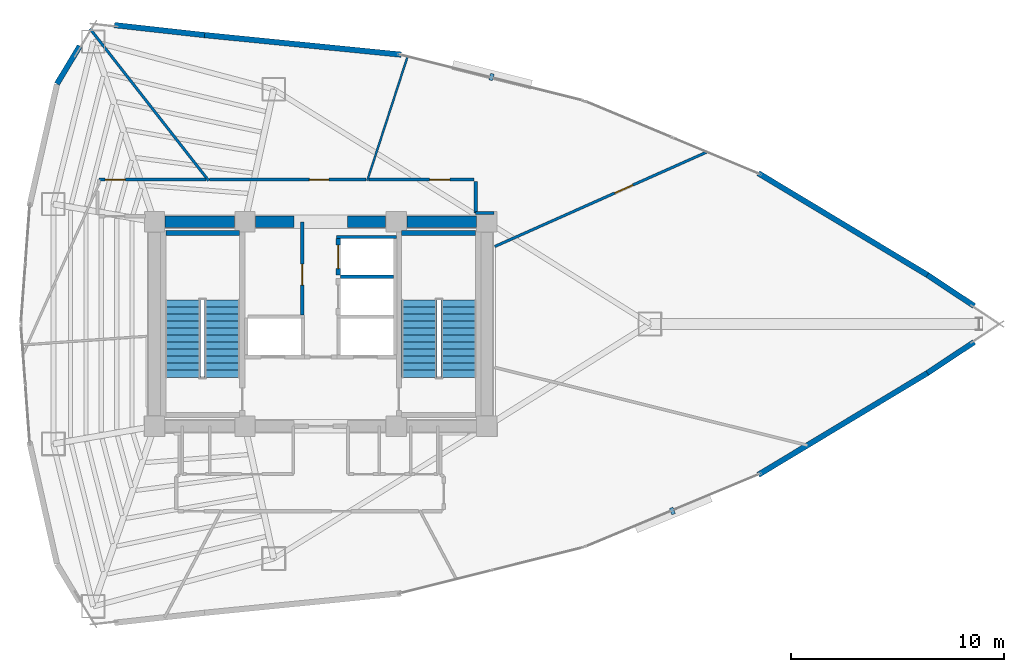
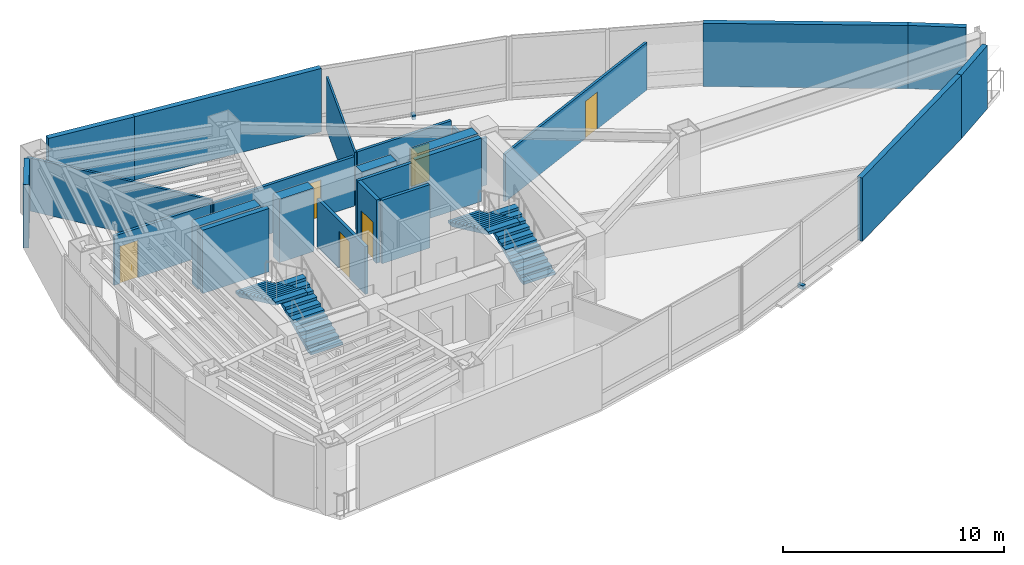
# One storey, part 15 of 18: 25 walls, 6 doors, 4 stair flights, 2 discrete accessories, 6 openings, 2 elements without a shape of their own.
"""IFC4 building model written with IfcOpenShell, lengths in metres."""

from ifc_helpers import new_model, si_unit, direction, frame, frame_2d, origin, origin_2d, place, context, subcontext, project, spatial, polyline, rectangle, outline, extrude, material, layer, layer_set, type_object, element, fill, aggregate, save


model = new_model("IFC4")

# Units and contexts
model_context = context("Model", 3, precision=1e-05, world=origin(), true_north=direction((0.0, 1.0)))
body_context = subcontext(model_context, "Body", "Model", "MODEL_VIEW")
ifc_project = project(units=[si_unit("LENGTHUNIT", "METRE"), si_unit("AREAUNIT", "SQUARE_METRE"), si_unit("VOLUMEUNIT", "CUBIC_METRE"), si_unit("PLANEANGLEUNIT", "RADIAN"), si_unit("MASSUNIT", "GRAM", prefix="KILO")], contexts=[model_context])

# Site, building, storey
site_placement = place(None, origin())
site = spatial("IfcSite", under=ifc_project, at=site_placement, CompositionType="ELEMENT")
building_placement = place(site_placement, origin())
building = spatial("IfcBuilding", under=site, at=building_placement, Name="Menara Vayukalpa", CompositionType="ELEMENT")
storey_placement = place(building_placement, frame((0.0, 0.0, 158.0400390625)))
storey = spatial("IfcBuildingStorey", under=building, at=storey_placement, Name="L39", CompositionType="ELEMENT", Elevation=158.0400390625)

# Walls
ifc_material_1 = material(Name="Concrete C60/75", Category="concrete")
ifc_layer_1 = layer(ifc_material_1, 0.550048828125)
ifc_layer_set_1 = layer_set([ifc_layer_1], Name="Concrete C60/75")
wall_type_1 = type_object("IfcWallType", Name="WAL-CW550", PredefinedType="SHEAR", material=ifc_layer_set_1)
wall_1_placement = place(storey_placement, frame((18.294921875, 26.800048828125, 0.0), z_axis=(0.0, 0.0, 1.0), x_axis=(1.0, 0.0, 0.0)))
element("IfcWall", 1, at=wall_1_placement, inside=storey, type_object=wall_type_1, Name="L39 Buttressed Core Shear Wall CWN1", PredefinedType="SHEAR", context=body_context, shape_type="SweptSolid", body=[
    extrude(rectangle(XDim=3.260009765625, YDim=0.550048828125, at=frame_2d((1.6298828125, 0.0))), origin(), (0.0, 0.0, 1.0), 3.5),
])
wall_2_placement = place(storey_placement, frame((22.544921875, 26.800048828125, 0.0), z_axis=(0.0, 0.0, 1.0), x_axis=(1.0, 0.0, 0.0)))
element("IfcWall", 2, at=wall_2_placement, inside=storey, type_object=wall_type_1, Name="L39 Buttressed Core Shear Wall CWN2", PredefinedType="SHEAR", context=body_context, shape_type="SweptSolid", body=[
    extrude(rectangle(XDim=1.80517578125, YDim=0.550048828125, at=frame_2d((0.902587890625, 0.0))), origin(), (0.0, 0.0, 1.0), 3.5),
])
wall_3_placement = place(storey_placement, frame((26.85009765625, 26.800048828125, 0.0), z_axis=(0.0, 0.0, 1.0), x_axis=(1.0, 0.0, 0.0)))
element("IfcWall", 3, at=wall_3_placement, inside=storey, type_object=wall_type_1, Name="L39 Buttressed Core Shear Wall CWN3", PredefinedType="SHEAR", context=body_context, shape_type="SweptSolid", body=[
    extrude(rectangle(XDim=1.804931640625, YDim=0.550048828125, at=frame_2d((0.90234375, 0.0))), origin(), (0.0, 0.0, 1.0), 3.5),
])
wall_4_placement = place(storey_placement, frame((29.64501953125, 26.800048828125, 0.0), z_axis=(0.0, 0.0, 1.0), x_axis=(1.0, 0.0, 0.0)))
element("IfcWall", 4, at=wall_4_placement, inside=storey, type_object=wall_type_1, Name="L39 Buttressed Core Shear Wall CWN4", PredefinedType="SHEAR", context=body_context, shape_type="SweptSolid", body=[
    extrude(rectangle(XDim=3.260009765625, YDim=0.550048828125, at=frame_2d((1.6298828125, 0.0))), origin(), (0.0, 0.0, 1.0), 3.5),
])
ifc_material_2 = material(Name="Insulated Precast Concrete C40/50", Category="concrete")
ifc_layer_2 = layer(ifc_material_2, 0.260009765625)
ifc_layer_set_2 = layer_set([ifc_layer_2], Name="Insulated Precast Concrete C40/50")
wall_type_2 = type_object("IfcWallType", Name="WAL-EXT260", PredefinedType="PARTITIONING", material=ifc_layer_set_2)
for number, where, z_axis, x_axis, name in (
    (5, (56.278076171875, 21.154541015625, 0.0), (0.0, 0.0, 1.0), (-0.833145530287, -0.553053817782, 0.0), "L39 Perimeter Terracotta Pier Wall 01"),
    (6, (54.081298828125, 24.3037109375, 0.0), (0.0, 0.0, 1.0), (0.833145530287, -0.553053817782, 0.0), "L39 Perimeter Terracotta Pier Wall 02"),
):
    element("IfcWall", number, at=place(storey_placement, frame(where, z_axis=z_axis, x_axis=x_axis)), inside=storey, type_object=wall_type_2, Name=name, PredefinedType="PARTITIONING", context=body_context, shape_type="SweptSolid", body=[
        extrude(rectangle(XDim=2.63671875, YDim=0.260009765625, at=frame_2d((1.318359375, 0.0))), origin(), (0.0, 0.0, 1.0), 3.5),
    ])
wall_5_placement = place(storey_placement, frame((46.14111328125, 29.08203125, 0.0), z_axis=(0.0, 0.0, 1.0), x_axis=(0.856788694159, -0.515667658053, 0.0)))
element("IfcWall", 7, at=wall_5_placement, inside=storey, type_object=wall_type_2, Name="L39 Perimeter Terracotta Pier Wall 03", PredefinedType="PARTITIONING", context=body_context, shape_type="SweptSolid", body=[
    extrude(rectangle(XDim=9.279052734375, YDim=0.260009765625, at=frame_2d((4.6396484375, 0.0))), origin(), (0.0, 0.0, 1.0), 3.5),
])
wall_6_placement = place(storey_placement, frame((20.141357421875, 35.564697265625, 0.0), z_axis=(0.0, 0.0, 1.0), x_axis=(0.9950896707, -0.098977508888, 0.0)))
element("IfcWall", 8, at=wall_6_placement, inside=storey, type_object=wall_type_2, Name="L39 Perimeter Terracotta Pier Wall 06", PredefinedType="PARTITIONING", context=body_context, shape_type="SweptSolid", body=[
    extrude(rectangle(XDim=9.279541015625, YDim=0.260009765625, at=frame_2d((4.6396484375, 0.0))), origin(), (0.0, 0.0, 1.0), 3.5),
])
wall_7_placement = place(storey_placement, frame((15.92138671875, 36.031494140625, 0.0), z_axis=(0.0, 0.0, 1.0), x_axis=(0.993933978819, -0.109978387641, 0.0)))
element("IfcWall", 9, at=wall_7_placement, inside=storey, type_object=wall_type_2, Name="L39 Perimeter Terracotta Pier Wall 07", PredefinedType="PARTITIONING", context=body_context, shape_type="SweptSolid", body=[
    extrude(rectangle(XDim=4.2578125, YDim=0.260009765625, at=frame_2d((2.12890625, 0.0))), origin(), (0.0, 0.0, 1.0), 3.5),
])
wall_8_placement = place(storey_placement, frame((13.22119140625, 33.272216796875, 0.0), z_axis=(0.0, 0.0, 1.0), x_axis=(0.516157331647, 0.856493788061, 0.0)))
element("IfcWall", 10, at=wall_8_placement, inside=storey, type_object=wall_type_2, Name="L39 Perimeter Terracotta Pier Wall 08", PredefinedType="PARTITIONING", context=body_context, shape_type="SweptSolid", body=[
    extrude(rectangle(XDim=2.0732421875, YDim=0.260009765625, at=frame_2d((1.03662109375, 0.0))), origin(), (0.0, 0.0, 1.0), 3.5),
])
wall_9_placement = place(storey_placement, frame((54.09130859375, 19.702880859375, 0.0), z_axis=(0.0, 0.0, 1.0), x_axis=(-0.856788694159, -0.515667658053, 0.0)))
element("IfcWall", 11, at=wall_9_placement, inside=storey, type_object=wall_type_2, Name="L39 Perimeter Terracotta Pier Wall 18", PredefinedType="PARTITIONING", context=body_context, shape_type="SweptSolid", body=[
    extrude(rectangle(XDim=9.279052734375, YDim=0.260009765625, at=frame_2d((4.6396484375, 0.0))), origin(), (0.0, 0.0, 1.0), 3.5),
])
ifc_material_3 = material(Name="Lightweight Concrete Blockwork C16/20", Category="masonry")
ifc_layer_3 = layer(ifc_material_3, 0.159912109375)
ifc_layer_set_3 = layer_set([ifc_layer_3], Name="Lightweight Concrete Blockwork C16/20")
wall_type_3 = type_object("IfcWallType", Name="WAL-FR150", PredefinedType="PARTITIONING", material=ifc_layer_set_3)
wall_10_placement = place(storey_placement, frame((26.530029296875, 24.215087890625, 0.0), z_axis=(0.0, 0.0, 1.0), x_axis=(1.0, 0.0, 0.0)))
element("IfcWall", 12, at=wall_10_placement, inside=storey, type_object=wall_type_3, Name="L39 Interior Partition IW-L39-SHM-E32", PredefinedType="PARTITIONING", context=body_context, shape_type="SweptSolid", body=[
    extrude(rectangle(XDim=2.489990234375, YDim=0.159912109375, at=frame_2d((1.2451171875, 0.0))), origin(), (0.0, 0.0, 1.0), 3.5),
])
wall_11_placement = place(storey_placement, frame((26.340087890625, 26.0849609375, 0.0), z_axis=(0.0, 0.0, 1.0), x_axis=(1.0, 0.0, 0.0)))
element("IfcWall", 13, at=wall_11_placement, inside=storey, type_object=wall_type_3, Name="L39 Interior Partition IW-L39-SHM-E2N", PredefinedType="PARTITIONING", context=body_context, shape_type="SweptSolid", body=[
    extrude(rectangle(XDim=2.829833984375, YDim=0.159912109375, at=frame_2d((1.4150390625, 0.0))), origin(), (0.0, 0.0, 1.0), 3.5),
])

# Wall, opening, door
wall_12_placement = place(storey_placement, frame((24.739990234375, 22.429931640625, 0.0), z_axis=(0.0, 0.0, 1.0), x_axis=(0.0, 1.0, 0.0)))
wall_12 = element("IfcWall", 14, at=wall_12_placement, inside=storey, type_object=wall_type_3, Name="L39 Interior Partition IW-L39-LV7W", PredefinedType="PARTITIONING", context=body_context, shape_type="SweptSolid", body=[
    extrude(rectangle(XDim=4.3701171875, YDim=0.159912109375, at=frame_2d((2.18505859375, 0.0))), origin(), (0.0, 0.0, 1.0), 2.6298828125),
])
opening_1_placement = place(wall_12_placement, frame((1.39990234375, 0.0, 0.0)))
opening_1 = element("IfcOpeningElement", 15, at=opening_1_placement, cuts=wall_12, Name="Opening ID3", PredefinedType="OPENING", context=body_context, shape_type="SweptSolid", body=[
    extrude(rectangle(XDim=0.97998046875, YDim=2.06005859375, at=frame_2d((0.489990234375, 1.030029296875))), frame((0.0, 0.08984375, 0.0), z_axis=(0.0, -1.0, 0.0), x_axis=(1.0, 0.0, 0.0)), (0.0, 0.0, 1.0), 0.179931640625),
])
ifc_material_4 = material(Name="Fire-Rated Powder-Coated Steel Door", Category="steel")
door_type_1 = type_object("IfcDoorType", Name="DR-FD60", OperationType="NOTDEFINED", PredefinedType="DOOR", material=ifc_material_4)
door_1_placement = place(opening_1_placement, origin())
door_1 = element("IfcDoor", 16, at=door_1_placement, inside=storey, type_object=door_type_1, Name="L39 Interior Door DR-L39-LV7W", OperationType="SINGLE_SWING_LEFT", OverallHeight=2.06005859375, OverallWidth=0.97998046875, PredefinedType="DOOR", context=body_context, shape_type="SweptSolid", body=[
    extrude(rectangle(XDim=0.97998046875, YDim=2.06005859375, at=frame_2d((0.489990234375, 1.030029296875))), frame((0.0, 0.02490234375, 0.0), z_axis=(0.0, -1.0, 0.0), x_axis=(1.0, 0.0, 0.0)), (0.0, 0.0, 1.0), 0.050048828125),
])
fill(opening_1, door_1)

ifc_material_5 = material(Name="Lightweight Concrete Blockwork C16/20", Category="masonry")
ifc_layer_4 = layer(ifc_material_5, 0.199951171875)
ifc_layer_set_4 = layer_set([ifc_layer_4], Name="Lightweight Concrete Blockwork C16/20")
wall_type_4 = type_object("IfcWallType", Name="WAL-FR200", PredefinedType="PARTITIONING", material=ifc_layer_set_4)
wall_13_placement = place(storey_placement, frame((26.419921875, 24.2900390625, 0.0), z_axis=(0.0, 0.0, 1.0), x_axis=(0.0, 1.0, 0.0)))
wall_13 = element("IfcWall", 17, at=wall_13_placement, inside=storey, type_object=wall_type_4, Name="L39 Interior Partition IW-L39-SH-E2", PredefinedType="PARTITIONING", context=body_context, shape_type="SweptSolid", body=[
    extrude(rectangle(XDim=1.719970703125, YDim=0.199951171875, at=frame_2d((0.85986328125, 0.0))), origin(), (0.0, 0.0, 1.0), 3.5),
])
opening_2_placement = place(wall_13_placement, frame((0.31005859375, 0.0, 0.0)))
opening_2 = element("IfcOpeningElement", 18, at=opening_2_placement, cuts=wall_13, Name="Opening LD1", PredefinedType="OPENING", context=body_context, shape_type="SweptSolid", body=[
    extrude(rectangle(XDim=1.10009765625, YDim=2.080078125, at=frame_2d((0.550048828125, 1.0400390625))), frame((0.0, 0.10986328125, 0.0), z_axis=(0.0, -1.0, 0.0), x_axis=(1.0, 0.0, 0.0)), (0.0, 0.0, 1.0), 0.219970703125),
])
ifc_material_6 = material(Name="Brushed Stainless Steel 316 Lift Door", Category="steel")
door_type_2 = type_object("IfcDoorType", Name="DR-LD110", OperationType="NOTDEFINED", PredefinedType="DOOR", material=ifc_material_6)
door_2_placement = place(opening_2_placement, origin())
door_2 = element("IfcDoor", 19, at=door_2_placement, inside=storey, type_object=door_type_2, Name="L39 Interior Door DR-L39-LD-E2", OperationType="DOUBLE_DOOR_SLIDING", OverallHeight=2.080078125, OverallWidth=1.10009765625, PredefinedType="DOOR", context=body_context, shape_type="SweptSolid", body=[
    extrude(rectangle(XDim=1.10009765625, YDim=2.080078125, at=frame_2d((0.550048828125, 1.0400390625))), frame((0.0, 0.02490234375, 0.0), z_axis=(0.0, -1.0, 0.0), x_axis=(1.0, 0.0, 0.0)), (0.0, 0.0, 1.0), 0.050048828125),
])
fill(opening_2, door_2)

# Wall
ifc_material_7 = material(Name="Glazed Demountable Office Partition", Category="glass")
ifc_layer_5 = layer(ifc_material_7, 0.094970703125)
ifc_layer_set_5 = layer_set([ifc_layer_5], Name="Glazed Demountable Office Partition")
wall_type_5 = type_object("IfcWallType", Name="WAL-PT100", PredefinedType="PARTITIONING", material=ifc_layer_set_5)
wall_14_placement = place(storey_placement, frame((27.78662109375, 28.72998046875, 0.0), z_axis=(0.0, 0.0, 1.0), x_axis=(0.309017664707, 0.951056298491, 0.0)))
element("IfcWall", 20, at=wall_14_placement, inside=storey, type_object=wall_type_5, Name="L39 Interior Partition IW-L39-RDIV02", PredefinedType="PARTITIONING", context=body_context, shape_type="SweptSolid", body=[
    extrude(rectangle(XDim=6.13330078125, YDim=0.094970703125, at=frame_2d((3.066650390625, 0.0))), origin(), (0.0, 0.0, 1.0), 2.929931640625),
])

# Wall, opening, door
ifc_material_8 = material(Name="Gypsum Drywall Steel Stud Assembly", Category="steel")
ifc_layer_6 = layer(ifc_material_8, 0.125)
ifc_layer_set_6 = layer_set([ifc_layer_6], Name="Gypsum Drywall Steel Stud Assembly")
wall_type_6 = type_object("IfcWallType", Name="WAL-PT125", PredefinedType="PARTITIONING", material=ifc_layer_set_6)
wall_15_placement = place(storey_placement, frame((33.77001953125, 25.637451171875, 0.0), z_axis=(0.0, 0.0, 1.0), x_axis=(0.913542006179, 0.406744395102, 0.0)))
wall_15 = element("IfcWall", 21, at=wall_15_placement, inside=storey, type_object=wall_type_6, Name="L39 Interior Partition IW-L39-RDIV01", PredefinedType="PARTITIONING", context=body_context, shape_type="SweptSolid", body=[
    extrude(rectangle(XDim=10.91455078125, YDim=0.125, at=frame_2d((5.457275390625, 0.0))), origin(), (0.0, 0.0, 1.0), 2.6298828125),
])
opening_3_placement = place(wall_15_placement, frame((6.176513671875, 0.0, 0.0)))
opening_3 = element("IfcOpeningElement", 22, at=opening_3_placement, cuts=wall_15, Name="Opening ID6", PredefinedType="OPENING", context=body_context, shape_type="SweptSolid", body=[
    extrude(rectangle(XDim=0.919921875, YDim=2.050048828125, at=frame_2d((0.4599609375, 1.02490234375))), frame((0.0, 0.072509765625, 0.0), z_axis=(0.0, -1.0, 0.0), x_axis=(1.0, 0.0, 0.0)), (0.0, 0.0, 1.0), 0.14501953125),
])
ifc_material_9 = material(Name="Acoustic Hardwood Veneer Timber Door", Category="wood")
door_type_3 = type_object("IfcDoorType", Name="DR-INT92", OperationType="NOTDEFINED", PredefinedType="DOOR", material=ifc_material_9)
door_3_placement = place(opening_3_placement, origin())
door_3 = element("IfcDoor", 23, at=door_3_placement, inside=storey, type_object=door_type_3, Name="L39 Interior Door DR-L39-STE04", OperationType="SINGLE_SWING_RIGHT", OverallHeight=2.050048828125, OverallWidth=0.919921875, PredefinedType="DOOR", context=body_context, shape_type="SweptSolid", body=[
    extrude(rectangle(XDim=0.919921875, YDim=2.050048828125, at=frame_2d((0.4599609375, 1.02490234375))), frame((0.0, 0.02490234375, 0.0), z_axis=(0.0, -1.0, 0.0), x_axis=(1.0, 0.0, 0.0)), (0.0, 0.0, 1.0), 0.050048828125),
])
fill(opening_3, door_3)

# Walls
wall_16_placement = place(storey_placement, frame((20.341796875, 28.72998046875, 0.0), z_axis=(0.0, 0.0, 1.0), x_axis=(-0.615659223334, 0.78801251305, 0.0)))
element("IfcWall", 24, at=wall_16_placement, inside=storey, type_object=wall_type_6, Name="L39 Interior Partition IW-L39-RDIV03", PredefinedType="PARTITIONING", context=body_context, shape_type="SweptSolid", body=[
    extrude(rectangle(XDim=9.050048828125, YDim=0.125, at=frame_2d((4.52490234375, 0.0))), origin(), (0.0, 0.0, 1.0), 2.929931640625),
])
ifc_material_10 = material(Name="Gypsum Drywall Acoustic Stud Assembly", Category="masonry")
ifc_layer_7 = layer(ifc_material_10, 0.14501953125)
ifc_layer_set_7 = layer_set([ifc_layer_7], Name="Gypsum Drywall Acoustic Stud Assembly")
wall_type_7 = type_object("IfcWallType", Name="WAL-PT150", PredefinedType="PARTITIONING", material=ifc_layer_set_7)
wall_17_placement = place(storey_placement, frame((33.739990234375, 27.219970703125, 0.0), z_axis=(0.0, 0.0, 1.0), x_axis=(-1.0, 0.0, 0.0)))
element("IfcWall", 25, at=wall_17_placement, inside=storey, type_object=wall_type_7, Name="L39 Interior Partition IW-L39-CRM05-1", PredefinedType="PARTITIONING", context=body_context, shape_type="SweptSolid", body=[
    extrude(rectangle(XDim=0.860107421875, YDim=0.14501953125, at=frame_2d((0.43017578125, 0.0))), origin(), (0.0, 0.0, 1.0), 2.6298828125),
])
wall_18_placement = place(storey_placement, frame((32.8798828125, 27.219970703125, 0.0), z_axis=(0.0, 0.0, 1.0), x_axis=(0.0, 1.0, 0.0)))
element("IfcWall", 26, at=wall_18_placement, inside=storey, type_object=wall_type_7, Name="L39 Interior Partition IW-L39-CRM05-2", PredefinedType="PARTITIONING", context=body_context, shape_type="SweptSolid", body=[
    extrude(rectangle(XDim=1.47998046875, YDim=0.14501953125, at=frame_2d((0.739990234375, 0.0))), origin(), (0.0, 0.0, 1.0), 2.6298828125),
])

# Wall, opening, door
wall_19_placement = place(storey_placement, frame((32.800048828125, 28.780029296875, 0.0), z_axis=(0.0, 0.0, 1.0), x_axis=(-1.0, 0.0, 0.0)))
wall_19 = element("IfcWall", 27, at=wall_19_placement, inside=storey, type_object=wall_type_7, Name="L39 Interior Partition IW-L39-CRM05-3", PredefinedType="PARTITIONING", context=body_context, shape_type="SweptSolid", body=[
    extrude(rectangle(XDim=4.92333984375, YDim=0.14501953125, at=frame_2d((2.461669921875, 0.0))), origin(), (0.0, 0.0, 1.0), 2.929931640625),
])
opening_4_placement = place(wall_19_placement, frame((1.13330078125, 0.0, 0.0)))
opening_4 = element("IfcOpeningElement", 28, at=opening_4_placement, cuts=wall_19, Name="Opening ID5", PredefinedType="OPENING", context=body_context, shape_type="SweptSolid", body=[
    extrude(rectangle(XDim=0.949951171875, YDim=2.06005859375, at=frame_2d((0.47509765625, 1.030029296875))), frame((0.0, 0.08251953125, 0.0), z_axis=(0.0, -1.0, 0.0), x_axis=(1.0, 0.0, 0.0)), (0.0, 0.0, 1.0), 0.1650390625),
])
ifc_material_11 = material(Name="Acoustic Hardwood Veneer Timber Door", Category="wood")
door_type_4 = type_object("IfcDoorType", Name="DR-INT95", OperationType="NOTDEFINED", PredefinedType="DOOR", material=ifc_material_11)
door_4_placement = place(opening_4_placement, origin())
door_4 = element("IfcDoor", 29, at=door_4_placement, inside=storey, type_object=door_type_4, Name="L39 Interior Door DR-L39-RM05", OperationType="SINGLE_SWING_RIGHT", OverallHeight=2.06005859375, OverallWidth=0.949951171875, PredefinedType="DOOR", context=body_context, shape_type="SweptSolid", body=[
    extrude(rectangle(XDim=0.949951171875, YDim=2.06005859375, at=frame_2d((0.47509765625, 1.030029296875))), frame((0.0, 0.02490234375, 0.0), z_axis=(0.0, -1.0, 0.0), x_axis=(1.0, 0.0, 0.0)), (0.0, 0.0, 1.0), 0.050048828125),
])
fill(opening_4, door_4)

wall_20_placement = place(storey_placement, frame((27.7294921875, 28.780029296875, 0.0), z_axis=(0.0, 0.0, 1.0), x_axis=(-1.0, 0.0, 0.0)))
wall_20 = element("IfcWall", 30, at=wall_20_placement, inside=storey, type_object=wall_type_7, Name="L39 Interior Partition IW-L39-CRM06-1", PredefinedType="PARTITIONING", context=body_context, shape_type="SweptSolid", body=[
    extrude(rectangle(XDim=7.337890625, YDim=0.14501953125, at=frame_2d((3.6689453125, 0.0))), origin(), (0.0, 0.0, 1.0), 2.72998046875),
])
opening_5_placement = place(wall_20_placement, frame((1.744384765625, 0.0, 0.0)))
opening_5 = element("IfcOpeningElement", 31, at=opening_5_placement, cuts=wall_20, Name="Opening ID6", PredefinedType="OPENING", context=body_context, shape_type="SweptSolid", body=[
    extrude(rectangle(XDim=0.919921875, YDim=2.050048828125, at=frame_2d((0.4599609375, 1.02490234375))), frame((0.0, 0.08251953125, 0.0), z_axis=(0.0, -1.0, 0.0), x_axis=(1.0, 0.0, 0.0)), (0.0, 0.0, 1.0), 0.1650390625),
])
door_5_placement = place(opening_5_placement, origin())
door_5 = element("IfcDoor", 32, at=door_5_placement, inside=storey, type_object=door_type_3, Name="L39 Interior Door DR-L39-RM06", OperationType="SINGLE_SWING_LEFT", OverallHeight=2.050048828125, OverallWidth=0.919921875, PredefinedType="DOOR", context=body_context, shape_type="SweptSolid", body=[
    extrude(rectangle(XDim=0.919921875, YDim=2.050048828125, at=frame_2d((0.4599609375, 1.02490234375))), frame((0.0, 0.02490234375, 0.0), z_axis=(0.0, -1.0, 0.0), x_axis=(1.0, 0.0, 0.0)), (0.0, 0.0, 1.0), 0.050048828125),
])
fill(opening_5, door_5)

wall_21_placement = place(storey_placement, frame((20.214111328125, 28.780029296875, 0.0), z_axis=(0.0, 0.0, 1.0), x_axis=(-1.0, 0.0, 0.0)))
wall_21 = element("IfcWall", 33, at=wall_21_placement, inside=storey, type_object=wall_type_7, Name="L39 Interior Partition IW-L39-CRM07-1", PredefinedType="PARTITIONING", context=body_context, shape_type="SweptSolid", body=[
    extrude(rectangle(XDim=5.01416015625, YDim=0.14501953125, at=frame_2d((2.507080078125, 0.0))), origin(), (0.0, 0.0, 1.0), 2.72998046875),
])
opening_6_placement = place(wall_21_placement, frame((3.7841796875, 0.0, 0.0)))
opening_6 = element("IfcOpeningElement", 34, at=opening_6_placement, cuts=wall_21, Name="Opening ID5", PredefinedType="OPENING", context=body_context, shape_type="SweptSolid", body=[
    extrude(rectangle(XDim=0.949951171875, YDim=2.06005859375, at=frame_2d((0.47509765625, 1.030029296875))), frame((0.0, 0.08251953125, 0.0), z_axis=(0.0, -1.0, 0.0), x_axis=(1.0, 0.0, 0.0)), (0.0, 0.0, 1.0), 0.1650390625),
])
door_6_placement = place(opening_6_placement, origin())
door_6 = element("IfcDoor", 35, at=door_6_placement, inside=storey, type_object=door_type_4, Name="L39 Interior Door DR-L39-RM07", OperationType="SINGLE_SWING_RIGHT", OverallHeight=2.06005859375, OverallWidth=0.949951171875, PredefinedType="DOOR", context=body_context, shape_type="SweptSolid", body=[
    extrude(rectangle(XDim=0.949951171875, YDim=2.06005859375, at=frame_2d((0.47509765625, 1.030029296875))), frame((0.0, 0.02490234375, 0.0), z_axis=(0.0, -1.0, 0.0), x_axis=(1.0, 0.0, 0.0)), (0.0, 0.0, 1.0), 0.050048828125),
])
fill(opening_6, door_6)

# Walls
ifc_material_12 = material(Name="Concrete C50/60", Category="concrete")
ifc_layer_8 = layer(ifc_material_12, 0.25)
ifc_layer_set_8 = layer_set([ifc_layer_8], Name="Concrete C50/60")
wall_type_8 = type_object("IfcWallType", Name="WAL-SW250", PredefinedType="SHEAR", material=ifc_layer_set_8)
wall_22_placement = place(storey_placement, frame((18.3291015625, 26.27490234375, 0.0), z_axis=(0.0, 0.0, 1.0), x_axis=(1.0, 0.0, 0.0)))
element("IfcWall", 36, at=wall_22_placement, inside=storey, type_object=wall_type_8, Name="L39 ST1 Structural Stair Shaft Wall N", PredefinedType="SHEAR", context=body_context, shape_type="SweptSolid", body=[
    extrude(rectangle(XDim=3.470947265625, YDim=0.25, at=frame_2d((1.7353515625, 0.0))), origin(), (0.0, 0.0, 1.0), 3.5),
])
wall_23_placement = place(storey_placement, frame((29.39990234375, 26.27490234375, 0.0), z_axis=(0.0, 0.0, 1.0), x_axis=(1.0, 0.0, 0.0)))
element("IfcWall", 37, at=wall_23_placement, inside=storey, type_object=wall_type_8, Name="L39 ST2 Structural Stair Shaft Wall N", PredefinedType="SHEAR", context=body_context, shape_type="SweptSolid", body=[
    extrude(rectangle(XDim=3.47119140625, YDim=0.25, at=frame_2d((1.735595703125, 0.0))), origin(), (0.0, 0.0, 1.0), 3.5),
])

# Stair, stair flights
ifc_material_13 = material(Name="Precast Concrete C40/50", Category="concrete")
stair_type = type_object("IfcStairType", Name="STR-T04", PredefinedType="DOUBLE_RETURN_STAIR", material=ifc_material_13)
stair_1_placement = place(storey_placement, origin())
stair_1 = element("IfcStair", 38, at=stair_1_placement, inside=storey, type_object=stair_type, Name="L39 Core Exit Stair ST-1", PredefinedType="DOUBLE_RETURN_STAIR")
ifc_material_14 = material(Name="Precast Concrete C40/50", Category="concrete")
stair_flight_type = type_object("IfcStairFlightType", Name="STF-T04", PredefinedType="STRAIGHT", material=ifc_material_14)
stair_flight_1_placement = place(storey_placement, frame((20.97509765625, 19.5, 0.0), z_axis=(0.0, 0.0, 1.0), x_axis=(0.0, 1.0, 0.0)))
stair_flight_1 = element("IfcStairFlight", 39, at=stair_flight_1_placement, type_object=stair_flight_type, Name="ST-1 flight 1", NumberOfRisers=12, NumberOfTreads=11, PredefinedType="STRAIGHT", RiserHeight=0.155, TreadLength=0.33, context=body_context, shape_type="SweptSolid", body=[
    extrude(outline(polyline([(0.0, 0.0), (0.0, 0.155029296875), (0.330078125, 0.155029296875), (0.330078125, 0.31005859375), (0.659912109375, 0.31005859375), (0.659912109375, 0.465087890625), (0.989990234375, 0.465087890625), (0.989990234375, 0.6201171875), (1.320068359375, 0.6201171875), (1.320068359375, 0.77490234375), (1.64990234375, 0.77490234375), (1.64990234375, 0.929931640625), (1.97998046875, 0.929931640625), (1.97998046875, 1.0849609375), (2.31005859375, 1.0849609375), (2.31005859375, 1.239990234375), (2.639892578125, 1.239990234375), (2.639892578125, 1.39501953125), (2.969970703125, 1.39501953125), (2.969970703125, 1.550048828125), (3.300048828125, 1.550048828125), (3.300048828125, 1.705078125), (3.6298828125, 1.705078125), (3.6298828125, 1.860107421875), (3.6298828125, 1.539306640625), (0.3525390625, 0.0), (0.0, 0.0)])), frame((0.0, 0.824951171875, 0.0), z_axis=(0.0, -1.0, 0.0), x_axis=(1.0, 0.0, 0.0)), (0.0, 0.0, 1.0), 1.64990234375),
])
stair_flight_2_placement = place(storey_placement, frame((19.125, 23.1298828125, 1.85986328125), z_axis=(0.0, 0.0, 1.0), x_axis=(0.0, -1.0, 0.0)))
stair_flight_2 = element("IfcStairFlight", 40, at=stair_flight_2_placement, type_object=stair_flight_type, Name="ST-1 flight 2", NumberOfRisers=12, NumberOfTreads=11, PredefinedType="STRAIGHT", RiserHeight=0.155, TreadLength=0.33, context=body_context, shape_type="SweptSolid", body=[
    extrude(outline(polyline([(0.0, 0.0), (0.0, 0.155029296875), (0.330078125, 0.155029296875), (0.330078125, 0.31005859375), (0.659912109375, 0.31005859375), (0.659912109375, 0.465087890625), (0.989990234375, 0.465087890625), (0.989990234375, 0.6201171875), (1.320068359375, 0.6201171875), (1.320068359375, 0.77490234375), (1.64990234375, 0.77490234375), (1.64990234375, 0.929931640625), (1.97998046875, 0.929931640625), (1.97998046875, 1.0849609375), (2.31005859375, 1.0849609375), (2.31005859375, 1.239990234375), (2.639892578125, 1.239990234375), (2.639892578125, 1.39501953125), (2.969970703125, 1.39501953125), (2.969970703125, 1.550048828125), (3.300048828125, 1.550048828125), (3.300048828125, 1.705078125), (3.6298828125, 1.705078125), (3.6298828125, 1.860107421875), (3.6298828125, 1.539306640625), (0.3525390625, 0.0), (0.0, 0.0)])), frame((0.0, 0.824951171875, 0.0), z_axis=(0.0, -1.0, 0.0), x_axis=(1.0, 0.0, 0.0)), (0.0, 0.0, 1.0), 1.64990234375),
])
aggregate(stair_1, [stair_flight_1, stair_flight_2])

stair_2_placement = place(storey_placement, origin())
stair_2 = element("IfcStair", 41, at=stair_2_placement, inside=storey, type_object=stair_type, Name="L39 Core Exit Stair ST-2", PredefinedType="DOUBLE_RETURN_STAIR")
stair_flight_3_placement = place(storey_placement, frame((32.074951171875, 19.5, 0.0), z_axis=(0.0, 0.0, 1.0), x_axis=(0.0, 1.0, 0.0)))
stair_flight_3 = element("IfcStairFlight", 42, at=stair_flight_3_placement, type_object=stair_flight_type, Name="ST-2 flight 1", NumberOfRisers=12, NumberOfTreads=11, PredefinedType="STRAIGHT", RiserHeight=0.155, TreadLength=0.33, context=body_context, shape_type="SweptSolid", body=[
    extrude(outline(polyline([(0.0, 0.0), (0.0, 0.155029296875), (0.330078125, 0.155029296875), (0.330078125, 0.31005859375), (0.659912109375, 0.31005859375), (0.659912109375, 0.465087890625), (0.989990234375, 0.465087890625), (0.989990234375, 0.6201171875), (1.320068359375, 0.6201171875), (1.320068359375, 0.77490234375), (1.64990234375, 0.77490234375), (1.64990234375, 0.929931640625), (1.97998046875, 0.929931640625), (1.97998046875, 1.0849609375), (2.31005859375, 1.0849609375), (2.31005859375, 1.239990234375), (2.639892578125, 1.239990234375), (2.639892578125, 1.39501953125), (2.969970703125, 1.39501953125), (2.969970703125, 1.550048828125), (3.300048828125, 1.550048828125), (3.300048828125, 1.705078125), (3.6298828125, 1.705078125), (3.6298828125, 1.860107421875), (3.6298828125, 1.539306640625), (0.3525390625, 0.0), (0.0, 0.0)])), frame((0.0, 0.824951171875, 0.0), z_axis=(0.0, -1.0, 0.0), x_axis=(1.0, 0.0, 0.0)), (0.0, 0.0, 1.0), 1.64990234375),
])
stair_flight_4_placement = place(storey_placement, frame((30.22509765625, 23.1298828125, 1.85986328125), z_axis=(0.0, 0.0, 1.0), x_axis=(0.0, -1.0, 0.0)))
stair_flight_4 = element("IfcStairFlight", 43, at=stair_flight_4_placement, type_object=stair_flight_type, Name="ST-2 flight 2", NumberOfRisers=12, NumberOfTreads=11, PredefinedType="STRAIGHT", RiserHeight=0.155, TreadLength=0.33, context=body_context, shape_type="SweptSolid", body=[
    extrude(outline(polyline([(0.0, 0.0), (0.0, 0.155029296875), (0.330078125, 0.155029296875), (0.330078125, 0.31005859375), (0.659912109375, 0.31005859375), (0.659912109375, 0.465087890625), (0.989990234375, 0.465087890625), (0.989990234375, 0.6201171875), (1.320068359375, 0.6201171875), (1.320068359375, 0.77490234375), (1.64990234375, 0.77490234375), (1.64990234375, 0.929931640625), (1.97998046875, 0.929931640625), (1.97998046875, 1.0849609375), (2.31005859375, 1.0849609375), (2.31005859375, 1.239990234375), (2.639892578125, 1.239990234375), (2.639892578125, 1.39501953125), (2.969970703125, 1.39501953125), (2.969970703125, 1.550048828125), (3.300048828125, 1.550048828125), (3.300048828125, 1.705078125), (3.6298828125, 1.705078125), (3.6298828125, 1.860107421875), (3.6298828125, 1.539306640625), (0.3525390625, 0.0), (0.0, 0.0)])), frame((0.0, 0.824951171875, 0.0), z_axis=(0.0, -1.0, 0.0), x_axis=(1.0, 0.0, 0.0)), (0.0, 0.0, 1.0), 1.64990234375),
])
aggregate(stair_2, [stair_flight_3, stair_flight_4])

# Discrete accessories
ifc_material_15 = material(Name="Stainless Steel 316 Sunshade Bracket", Category="steel")
discrete_accessory_type = type_object("IfcDiscreteAccessoryType", Name="ACC-BRK1", PredefinedType="BRACKET", material=ifc_material_15)
for number, where, z_axis, x_axis, name in (
    (44, (33.62109375, 33.596435546875, -0.16015625), (0.0, 0.0, 1.0), (-0.969999438853, 0.243107154615, 0.0), "L39 Terracotta Sunshade Bracket 05"),
    (45, (42.110107421875, 13.220947265625, -0.16015625), (0.0, 0.0, 1.0), (0.922881225826, 0.38508472187, 0.0), "L39 Terracotta Sunshade Bracket 17"),
):
    element("IfcDiscreteAccessory", number, at=place(storey_placement, frame(where, z_axis=z_axis, x_axis=x_axis)), inside=storey, type_object=discrete_accessory_type, Name=name, PredefinedType="BRACKET", context=body_context, shape_type="SweptSolid", body=[
        extrude(rectangle(XDim=0.179931640625, YDim=0.320068359375, at=origin_2d()), origin(), (0.0, 0.0, 1.0), 0.219970703125),
    ])

save(model, "model.ifc")
